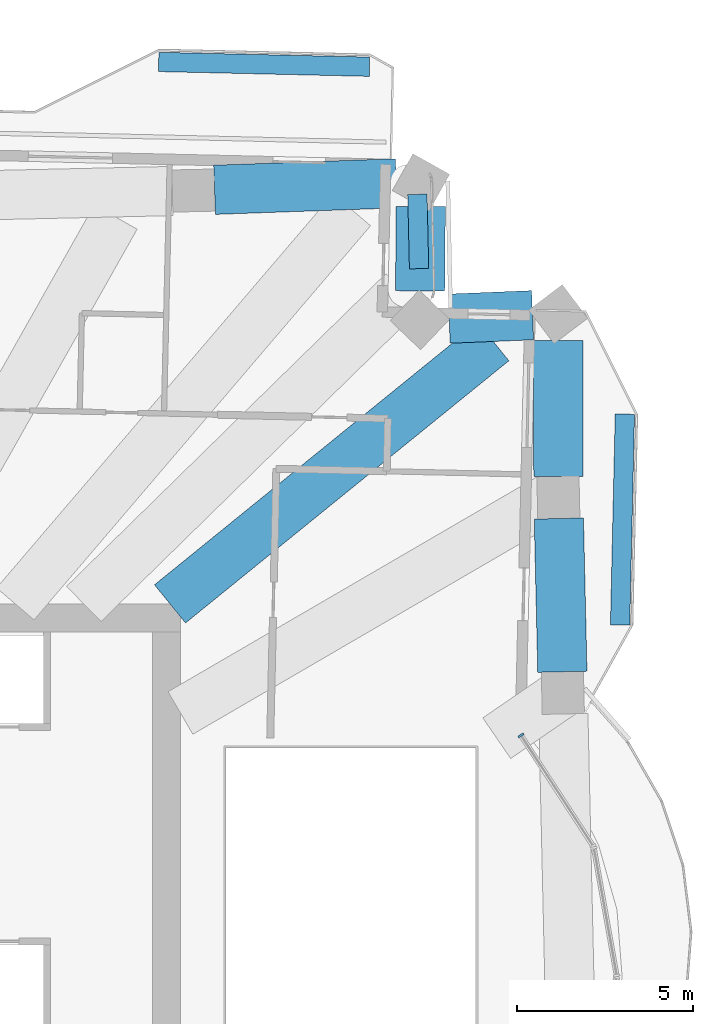
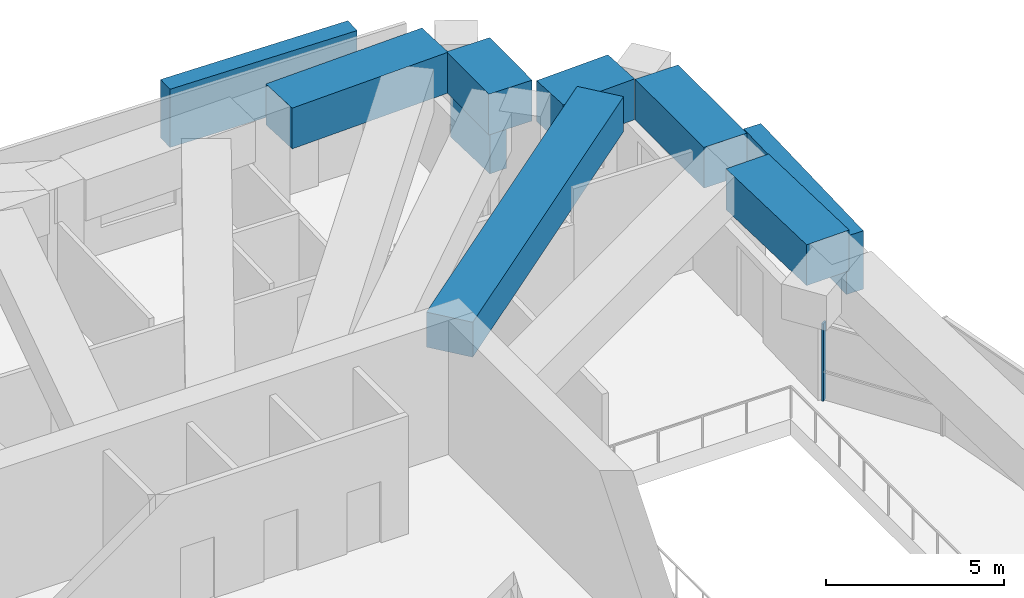
# One storey, part 7 of 19: 6 beams, 4 members, 1 element without a shape of its own.
"""IFC4 building model written with IfcOpenShell, lengths in metres."""

from ifc_helpers import new_model, si_unit, direction, frame, origin, origin_2d, place, context, subcontext, project, spatial, rectangle, extrude, material, material_profile, profile_set, type_object, element, aggregate, save


model = new_model("IFC4")

# Units and contexts
model_context = context("Model", 3, precision=1e-05, world=origin(), true_north=direction((0.0, 1.0)))
body_context = subcontext(model_context, "Body", "Model", "MODEL_VIEW")
ifc_project = project(units=[si_unit("LENGTHUNIT", "METRE"), si_unit("AREAUNIT", "SQUARE_METRE"), si_unit("VOLUMEUNIT", "CUBIC_METRE"), si_unit("PLANEANGLEUNIT", "RADIAN"), si_unit("MASSUNIT", "GRAM", prefix="KILO")], contexts=[model_context])

# Site, building, storey
site_placement = place(None, origin())
site = spatial("IfcSite", under=ifc_project, at=site_placement, CompositionType="ELEMENT")
building_placement = place(site_placement, origin())
building = spatial("IfcBuilding", under=site, at=building_placement, Name="Mangrove Gate Tower", CompositionType="ELEMENT")
storey_placement = place(building_placement, frame((0.0, 0.0, 193.300048828125)))
storey = spatial("IfcBuildingStorey", under=building, at=storey_placement, Name="L49", CompositionType="ELEMENT", Elevation=193.300048828125)

# Members
ifc_material_1 = material(Name="Planting on aluminium trellis", Category="aluminium")
ifc_material_profile_1 = material_profile(ifc_material_1, rectangle(XDim=0.550048828125, YDim=2.0, at=origin_2d()))
ifc_profile_set_1 = profile_set([ifc_material_profile_1], Name="Planting on aluminium trellis")
member_type_1 = type_object("IfcMemberType", Name="Balcony greenery screen 550x2000", PredefinedType="USERDEFINED", material=ifc_profile_set_1)
for number, where, z_axis, x_axis, name in (
    (1, (27.10693359375, 11.0009765625, 1.800048828125), (0.022665943652, 0.999743094499, 0.0), (-0.999743094499, 0.022665943652, 0.0), "GREEN SCREEN L49 E1.1"),
    (2, (13.97998046875, 27.01806640625, 1.800048828125), (0.999743094499, -0.022665943652, 0.0), (0.022665943652, 0.999743094499, 0.0), "GREEN SCREEN L49 N0.1"),
):
    element("IfcMember", number, at=place(storey_placement, frame(where, z_axis=z_axis, x_axis=x_axis)), inside=storey, type_object=member_type_1, Name=name, ObjectType="PLANTING", PredefinedType="USERDEFINED", context=body_context, shape_type="SweptSolid", body=[
        extrude(rectangle(XDim=0.550048828125, YDim=2.0, at=origin_2d()), origin(), (0.0, 0.0, 1.0), 5.99951171875),
    ])
ifc_material_2 = material(Name="Planting on aluminium trellis", Category="aluminium")
ifc_material_profile_2 = material_profile(ifc_material_2, rectangle(XDim=0.550048828125, YDim=1.800048828125, at=origin_2d()))
ifc_profile_set_2 = profile_set([ifc_material_profile_2], Name="Planting on aluminium trellis")
member_type_2 = type_object("IfcMemberType", Name="Roof greenery screen 550x1800", PredefinedType="USERDEFINED", material=ifc_profile_set_2)
member_1_placement = place(storey_placement, frame((21.340087890625, 23.2529296875, 1.699951171875), z_axis=(0.022608734328, -0.999744389898, 0.0), x_axis=(0.999744389898, 0.022608734328, 0.0)))
element("IfcMember", 3, at=member_1_placement, inside=storey, type_object=member_type_2, Name="GREEN SCREEN L49 T3.1.6", ObjectType="PLANTING", PredefinedType="USERDEFINED", context=body_context, shape_type="SweptSolid", body=[
    extrude(rectangle(XDim=0.550048828125, YDim=1.800048828125, at=origin_2d()), origin(), (0.0, 0.0, 1.0), 2.116455078125),
])

# Curtain wall, member
ifc_material_3 = material(Name="Aluminium and glass curtain wall", Category="aluminium")
curtain_wall_type = type_object("IfcCurtainWallType", Name="Sky-lounge glazing wall", PredefinedType="NOTDEFINED", material=ifc_material_3)
curtain_wall_placement = place(storey_placement, origin())
curtain_wall = element("IfcCurtainWall", 4, at=curtain_wall_placement, inside=storey, type_object=curtain_wall_type, Name="Sky-lounge glazing E1p2f3", PredefinedType="NOTDEFINED")
ifc_material_4 = material(Name="Aluminium alloy 6063-T6", Category="aluminium")
ifc_material_profile_3 = material_profile(ifc_material_4, rectangle(XDim=0.06005859375, YDim=0.179931640625, at=origin_2d()))
ifc_profile_set_3 = profile_set([ifc_material_profile_3], Name="Aluminium alloy 6063-T6")
member_type_3 = type_object("IfcMemberType", Name="Sky-lounge glazing mullion 60x180", PredefinedType="MULLION", material=ifc_profile_set_3)
member_2_placement = place(storey_placement, frame((24.28662109375, 7.8603515625, 0.0), z_axis=(0.0, 0.0, 1.0), x_axis=(-0.546235085045, 0.837631919083, 0.0)))
member_2 = element("IfcMember", 5, at=member_2_placement, type_object=member_type_3, Name="CWK mullion 2", PredefinedType="MULLION", context=body_context, shape_type="SweptSolid", body=[
    extrude(rectangle(XDim=0.06005859375, YDim=0.179931640625, at=origin_2d()), origin(), (0.0, 0.0, 1.0), 2.64990234375),
])
aggregate(curtain_wall, [member_2])

# Beams
ifc_material_5 = material(Name="Concrete C60/75", Category="concrete")
ifc_material_profile_4 = material_profile(ifc_material_5, rectangle(XDim=1.39990234375, YDim=1.199951171875, at=origin_2d()))
ifc_profile_set_4 = profile_set([ifc_material_profile_4], Name="Concrete C60/75")
beam_type_1 = type_object("IfcBeamType", Name="Transfer girder RC 1400x1200 C60/75", PredefinedType="BEAM", material=ifc_profile_set_4)
beam_1_placement = place(storey_placement, frame((14.302734375, 11.60009765625, 3.449951171875), z_axis=(0.77666662678, 0.629911859585, 0.0), x_axis=(-0.629911859585, 0.77666662678, 0.0)))
element("IfcBeam", 6, at=beam_1_placement, inside=storey, type_object=beam_type_1, Name="Transfer girder L49 17", PredefinedType="BEAM", context=body_context, shape_type="SweptSolid", body=[
    extrude(rectangle(XDim=1.39990234375, YDim=1.199951171875, at=origin_2d()), origin(), (0.0, 0.0, 1.0), 11.8447265625),
])
ifc_material_6 = material(Name="Concrete C60/75", Category="concrete")
ifc_material_profile_5 = material_profile(ifc_material_6, rectangle(XDim=1.39990234375, YDim=1.39990234375, at=origin_2d()))
ifc_profile_set_5 = profile_set([ifc_material_profile_5], Name="Concrete C60/75")
beam_type_2 = type_object("IfcBeamType", Name="Transfer girder RC 1400x1400 C60/75", PredefinedType="BEAM", material=ifc_profile_set_5)
beam_2_placement = place(storey_placement, frame((25.46435546875, 9.669189453125, 3.349853515625), z_axis=(-0.022838386415, 0.999739170037, 0.0), x_axis=(-0.999739170037, -0.022838386415, 0.0)))
element("IfcBeam", 7, at=beam_2_placement, inside=storey, type_object=beam_type_2, Name="Transfer ring girder L49 15", PredefinedType="BEAM", context=body_context, shape_type="SweptSolid", body=[
    extrude(rectangle(XDim=1.39990234375, YDim=1.39990234375, at=origin_2d()), origin(), (0.0, 0.0, 1.0), 4.361572265625),
])
beam_3_placement = place(storey_placement, frame((25.3505859375, 15.2294921875, 3.349853515625), z_axis=(-0.001011377485, 0.999999488558, 0.0), x_axis=(-0.999999488558, -0.001011377485, 0.0)))
element("IfcBeam", 8, at=beam_3_placement, inside=storey, type_object=beam_type_2, Name="Transfer ring girder L49 16", PredefinedType="BEAM", context=body_context, shape_type="SweptSolid", body=[
    extrude(rectangle(XDim=1.39990234375, YDim=1.39990234375, at=origin_2d()), origin(), (0.0, 0.0, 1.0), 3.8623046875),
])
beam_4_placement = place(storey_placement, frame((24.6171875, 19.812744140625, 3.349853515625), z_axis=(-0.999146203439, -0.041314212485, 0.0), x_axis=(0.041314212485, -0.999146203439, 0.0)))
element("IfcBeam", 9, at=beam_4_placement, inside=storey, type_object=beam_type_2, Name="Transfer ring girder L49 17", PredefinedType="BEAM", context=body_context, shape_type="SweptSolid", body=[
    extrude(rectangle(XDim=1.39990234375, YDim=1.39990234375, at=origin_2d()), origin(), (0.0, 0.0, 1.0), 2.37548828125),
])
beam_5_placement = place(storey_placement, frame((21.41796875, 20.50390625, 3.349853515625), z_axis=(0.008133945451, 0.999966918919, 0.0), x_axis=(-0.999966918919, 0.008133945451, 0.0)))
element("IfcBeam", 10, at=beam_5_placement, inside=storey, type_object=beam_type_2, Name="Transfer ring girder L49 18", PredefinedType="BEAM", context=body_context, shape_type="SweptSolid", body=[
    extrude(rectangle(XDim=1.39990234375, YDim=1.39990234375, at=origin_2d()), origin(), (0.0, 0.0, 1.0), 2.401123046875),
])
beam_6_placement = place(storey_placement, frame((20.741455078125, 23.564453125, 3.349853515625), z_axis=(-0.99936699483, -0.03557540787, 0.0), x_axis=(0.03557540787, -0.99936699483, 0.0)))
element("IfcBeam", 11, at=beam_6_placement, inside=storey, type_object=beam_type_2, Name="Transfer ring girder L49 19", PredefinedType="BEAM", context=body_context, shape_type="SweptSolid", body=[
    extrude(rectangle(XDim=1.39990234375, YDim=1.39990234375, at=origin_2d()), origin(), (0.0, 0.0, 1.0), 5.17431640625),
])

save(model, "model.ifc")
